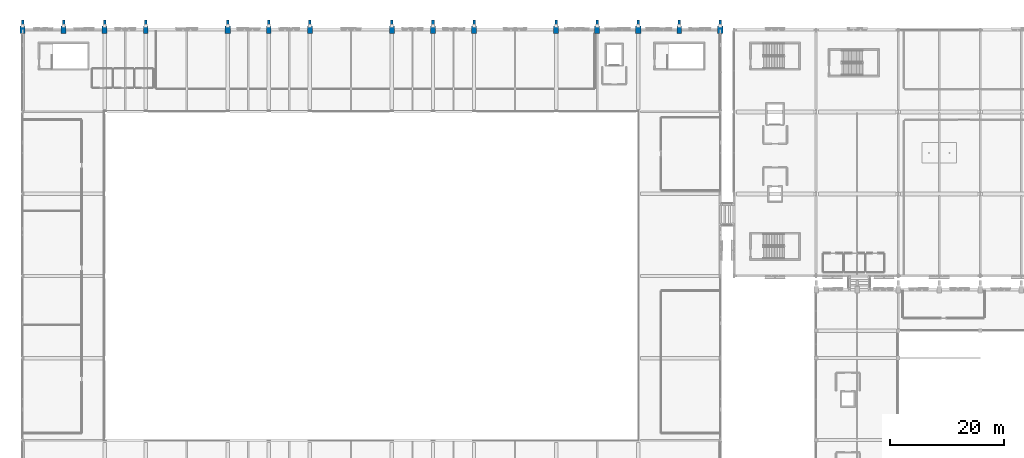
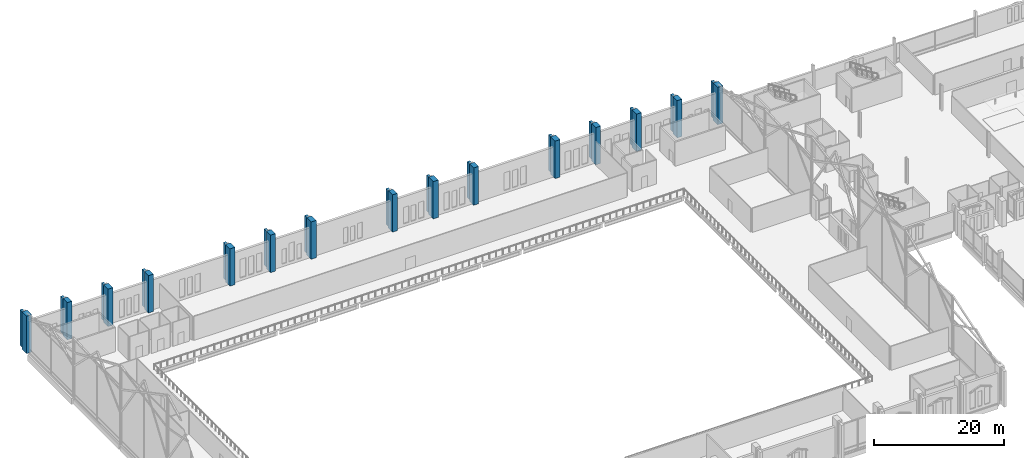
# One storey, part 21 of 220: 30 columns.
"""IFC4 building model written with IfcOpenShell, lengths in metres."""

from ifc_helpers import new_model, si_unit, direction, frame, origin, origin_2d, place, context, subcontext, project, spatial, rectangle, extrude, material, material_profile, profile_set, type_object, element, save


model = new_model("IFC4")

# Units and contexts
model_context = context("Model", 3, precision=1e-05, world=origin(), true_north=direction((0.0, 1.0)))
body_context = subcontext(model_context, "Body", "Model", "MODEL_VIEW")
ifc_project = project(units=[si_unit("LENGTHUNIT", "METRE"), si_unit("AREAUNIT", "SQUARE_METRE"), si_unit("VOLUMEUNIT", "CUBIC_METRE"), si_unit("PLANEANGLEUNIT", "RADIAN"), si_unit("MASSUNIT", "GRAM", prefix="KILO")], contexts=[model_context])

# Site, building, storey
site_placement = place(None, origin())
site = spatial("IfcSite", under=ifc_project, at=site_placement, CompositionType="ELEMENT")
building_placement = place(site_placement, origin())
building = spatial("IfcBuilding", under=site, at=building_placement, Name="Cendralis Lancet Convention Centre", CompositionType="ELEMENT")
storey_placement = place(building_placement, frame((0.0, 0.0, 5.39990234375)))
storey = spatial("IfcBuildingStorey", under=building, at=storey_placement, Name="L01", CompositionType="ELEMENT", Elevation=5.39990234375)

# Columns
ifc_material = material(Name="Concrete G40 (C40/50)", Category="concrete")
ifc_material_profile_1 = material_profile(ifc_material, rectangle(XDim=0.89990234375, YDim=1.39990234375, at=origin_2d()), Name="RC 900x1400")
ifc_profile_set_1 = profile_set([ifc_material_profile_1], Name="Concrete G40 (C40/50)")
column_type_1 = type_object("IfcColumnType", Name="STR-COL-C13", PredefinedType="COLUMN", material=ifc_profile_set_1)
for number, where, z_axis, x_axis, name in (
    (1, (0.0, 136.800048828125, 0.0), (0.0, 0.0, 1.0), (1.0, 0.0, 0.0), "L01 Column C13 at 0.0,136.8"),
    (2, (14.39990234375, 136.800048828125, 0.0), (0.0, 0.0, 1.0), (1.0, 0.0, 0.0), "L01 Column C13 at 14.4,136.8"),
    (3, (36.0, 136.800048828125, 0.0), (0.0, 0.0, 1.0), (1.0, 0.0, 0.0), "L01 Column C13 at 36.0,136.8"),
    (4, (50.39990234375, 136.800048828125, 0.0), (0.0, 0.0, 1.0), (1.0, 0.0, 0.0), "L01 Column C13 at 50.4,136.8"),
    (5, (72.0, 136.800048828125, 0.0), (0.0, 0.0, 1.0), (1.0, 0.0, 0.0), "L01 Column C13 at 72.0,136.8"),
    (6, (93.60009765625, 136.800048828125, 0.0), (0.0, 0.0, 1.0), (1.0, 0.0, 0.0), "L01 Column C13 at 93.6,136.8"),
    (7, (108.0, 136.800048828125, 0.0), (0.0, 0.0, 1.0), (1.0, 0.0, 0.0), "L01 Column C13 at 108.0,136.8"),
    (8, (122.39990234375, 136.800048828125, 0.0), (0.0, 0.0, 1.0), (1.0, 0.0, 0.0), "L01 Column C13 at 122.4,136.8"),
):
    element("IfcColumn", number, at=place(storey_placement, frame(where, z_axis=z_axis, x_axis=x_axis)), inside=storey, type_object=column_type_1, Name=name, PredefinedType="COLUMN", context=body_context, shape_type="SweptSolid", body=[
        extrude(rectangle(XDim=0.89990234375, YDim=1.39990234375, at=origin_2d()), origin(), (0.0, 0.0, 1.0), 7.0),
    ])
ifc_material_profile_2 = material_profile(ifc_material, rectangle(XDim=0.85009765625, YDim=1.300048828125, at=origin_2d()), Name="RC 850x1300")
ifc_profile_set_2 = profile_set([ifc_material_profile_2], Name="Concrete G40 (C40/50)")
column_type_2 = type_object("IfcColumnType", Name="STR-COL-C14", PredefinedType="COLUMN", material=ifc_profile_set_2)
for number, where, z_axis, x_axis, name in (
    (9, (7.199951171875, 136.800048828125, 0.0), (0.0, 0.0, 1.0), (1.0, 0.0, 0.0), "L01 Column C14 at 7.2,136.8"),
    (10, (21.60009765625, 136.800048828125, 0.0), (0.0, 0.0, 1.0), (1.0, 0.0, 0.0), "L01 Column C14 at 21.6,136.8"),
    (11, (43.199951171875, 136.800048828125, 0.0), (0.0, 0.0, 1.0), (1.0, 0.0, 0.0), "L01 Column C14 at 43.2,136.8"),
    (12, (64.800048828125, 136.800048828125, 0.0), (0.0, 0.0, 1.0), (1.0, 0.0, 0.0), "L01 Column C14 at 64.8,136.8"),
    (13, (79.199951171875, 136.800048828125, 0.0), (0.0, 0.0, 1.0), (1.0, 0.0, 0.0), "L01 Column C14 at 79.2,136.8"),
    (14, (100.800048828125, 136.800048828125, 0.0), (0.0, 0.0, 1.0), (1.0, 0.0, 0.0), "L01 Column C14 at 100.8,136.8"),
    (15, (115.199951171875, 136.800048828125, 0.0), (0.0, 0.0, 1.0), (1.0, 0.0, 0.0), "L01 Column C14 at 115.2,136.8"),
):
    element("IfcColumn", number, at=place(storey_placement, frame(where, z_axis=z_axis, x_axis=x_axis)), inside=storey, type_object=column_type_2, Name=name, PredefinedType="COLUMN", context=body_context, shape_type="SweptSolid", body=[
        extrude(rectangle(XDim=0.85009765625, YDim=1.300048828125, at=origin_2d()), origin(), (0.0, 0.0, 1.0), 7.0),
    ])
ifc_material_profile_3 = material_profile(ifc_material, rectangle(XDim=0.449951171875, YDim=0.89990234375, at=origin_2d()), Name="RC 450x900")
ifc_profile_set_3 = profile_set([ifc_material_profile_3], Name="Concrete G40 (C40/50)")
column_type_3 = type_object("IfcColumnType", Name="STR-PIL-PL02", PredefinedType="PILASTER", material=ifc_profile_set_3)
for number, where, z_axis, x_axis, name in (
    (16, (0.0, 138.06005859375, 0.0), (0.0, 0.0, 1.0), (1.0, 0.0, 0.0), "L01 Column PL02 at 0.0,138.1"),
    (17, (7.199951171875, 138.06005859375, 0.0), (0.0, 0.0, 1.0), (1.0, 0.0, 0.0), "L01 Column PL02 at 7.2,138.1"),
    (18, (14.39990234375, 138.06005859375, 0.0), (0.0, 0.0, 1.0), (1.0, 0.0, 0.0), "L01 Column PL02 at 14.4,138.1"),
    (19, (21.60009765625, 138.06005859375, 0.0), (0.0, 0.0, 1.0), (1.0, 0.0, 0.0), "L01 Column PL02 at 21.6,138.1"),
    (20, (36.0, 138.06005859375, 0.0), (0.0, 0.0, 1.0), (1.0, 0.0, 0.0), "L01 Column PL02 at 36.0,138.1"),
    (21, (43.199951171875, 138.06005859375, 0.0), (0.0, 0.0, 1.0), (1.0, 0.0, 0.0), "L01 Column PL02 at 43.2,138.1"),
    (22, (50.39990234375, 138.06005859375, 0.0), (0.0, 0.0, 1.0), (1.0, 0.0, 0.0), "L01 Column PL02 at 50.4,138.1"),
    (23, (64.800048828125, 138.06005859375, 0.0), (0.0, 0.0, 1.0), (1.0, 0.0, 0.0), "L01 Column PL02 at 64.8,138.1"),
    (24, (72.0, 138.06005859375, 0.0), (0.0, 0.0, 1.0), (1.0, 0.0, 0.0), "L01 Column PL02 at 72.0,138.1"),
    (25, (79.199951171875, 138.06005859375, 0.0), (0.0, 0.0, 1.0), (1.0, 0.0, 0.0), "L01 Column PL02 at 79.2,138.1"),
    (26, (93.60009765625, 138.06005859375, 0.0), (0.0, 0.0, 1.0), (1.0, 0.0, 0.0), "L01 Column PL02 at 93.6,138.1"),
    (27, (100.800048828125, 138.06005859375, 0.0), (0.0, 0.0, 1.0), (1.0, 0.0, 0.0), "L01 Column PL02 at 100.8,138.1"),
    (28, (108.0, 138.06005859375, 0.0), (0.0, 0.0, 1.0), (1.0, 0.0, 0.0), "L01 Column PL02 at 108.0,138.1"),
    (29, (115.199951171875, 138.06005859375, 0.0), (0.0, 0.0, 1.0), (1.0, 0.0, 0.0), "L01 Column PL02 at 115.2,138.1"),
    (30, (122.39990234375, 138.06005859375, 0.0), (0.0, 0.0, 1.0), (1.0, 0.0, 0.0), "L01 Column PL02 at 122.4,138.1"),
):
    element("IfcColumn", number, at=place(storey_placement, frame(where, z_axis=z_axis, x_axis=x_axis)), inside=storey, type_object=column_type_3, Name=name, PredefinedType="PILASTER", context=body_context, shape_type="SweptSolid", body=[
        extrude(rectangle(XDim=0.449951171875, YDim=0.89990234375, at=origin_2d()), origin(), (0.0, 0.0, 1.0), 6.7001953125),
    ])

save(model, "model.ifc")
